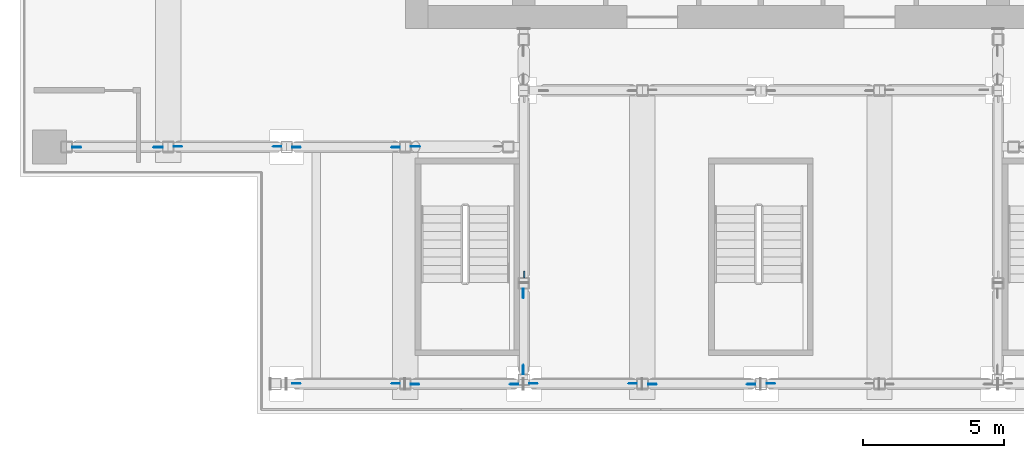
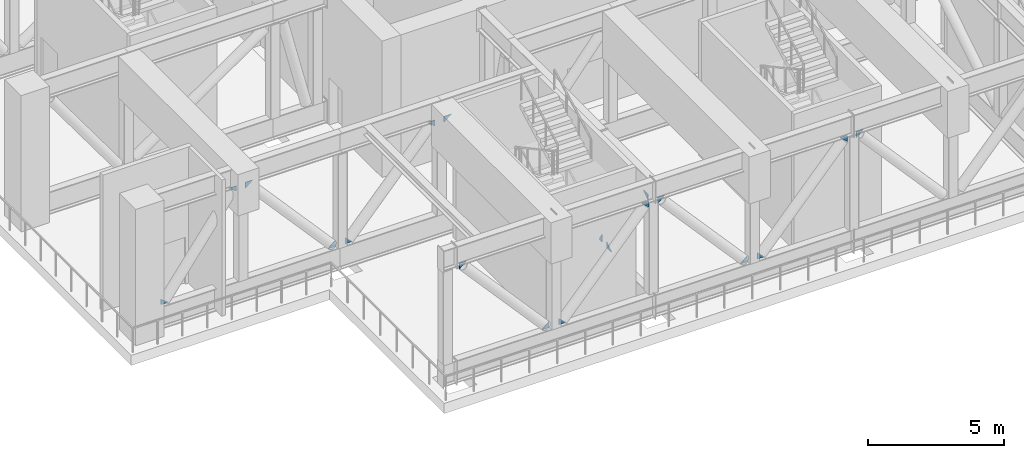
# One storey, part 10 of 23: 19 plates.
"""IFC4 building model written with IfcOpenShell, lengths in metres."""

from ifc_helpers import new_model, si_unit, direction, frame, origin, place, context, subcontext, project, spatial, polyline, outline, extrude, material, layer, layer_set, type_object, element, save


model = new_model("IFC4")

# Units and contexts
model_context = context("Model", 3, precision=1e-05, world=origin(), true_north=direction((0.0, 1.0)))
body_context = subcontext(model_context, "Body", "Model", "MODEL_VIEW")
ifc_project = project(units=[si_unit("LENGTHUNIT", "METRE"), si_unit("AREAUNIT", "SQUARE_METRE"), si_unit("VOLUMEUNIT", "CUBIC_METRE"), si_unit("PLANEANGLEUNIT", "RADIAN"), si_unit("MASSUNIT", "GRAM", prefix="KILO")], contexts=[model_context])

# Site, building, storey
site_placement = place(None, origin())
site = spatial("IfcSite", under=ifc_project, at=site_placement, CompositionType="ELEMENT")
building_placement = place(site_placement, origin())
building = spatial("IfcBuilding", under=site, at=building_placement, Name="Vermilion Ogive Tower", CompositionType="ELEMENT")
storey_placement = place(building_placement, frame((0.0, 0.0, 121.800048828125)))
storey = spatial("IfcBuildingStorey", under=building, at=storey_placement, Name="L31", CompositionType="ELEMENT", Elevation=121.800048828125)

# Plates
ifc_material = material(Name="Steel S355", Category="steel")
ifc_layer = layer(ifc_material, 0.030029296875)
ifc_layer_set = layer_set([ifc_layer], Name="Truss gusset plate 30")
plate_type = type_object("IfcPlateType", Name="Truss gusset plate 30", PredefinedType="USERDEFINED", material=ifc_layer_set)
plate_1_placement = place(storey_placement, frame((-12.39990234375, -12.60009765625, 4.955078125), z_axis=(0.0, -1.0, 0.0), x_axis=(0.797100929283, 0.0, 0.60384609673)))
element("IfcPlate", 1, at=plate_1_placement, inside=storey, type_object=plate_type, Name="Gusset plate L31-TR-EWW-12.6-D0B", ObjectType="GUSSET PLATE", PredefinedType="USERDEFINED", context=body_context, shape_type="SweptSolid", body=[
    extrude(outline(polyline([(0.0, 0.0), (0.40552228158959536, 0.0), (0.1478656335498987, 0.19518853322040466), (0.0, 0.0)])), origin(), (0.0, 0.0, -1.0), 0.030029296875),
])
plate_2_placement = place(storey_placement, frame((-12.800048828125, -12.60009765625, 4.928955078125), z_axis=(0.0, 1.0, 0.0), x_axis=(-0.744012068676, 0.0, 0.66816617818)))
element("IfcPlate", 2, at=plate_2_placement, inside=storey, type_object=plate_type, Name="Gusset plate L31-TR-EWW-12.6-D1A", ObjectType="GUSSET PLATE", PredefinedType="USERDEFINED", context=body_context, shape_type="SweptSolid", body=[
    extrude(outline(polyline([(0.0, 0.0), (0.40558187858007655, 2.7755575615628914e-17), (0.1810704242627036, 0.20162436431414565), (0.0, 0.0)])), origin(), (0.0, 0.0, -1.0), 0.030029296875),
])
for number, where, z_axis, x_axis, name in (
    (3, (-16.60009765625, -12.60009765625, 1.27099609375), (0.0, 1.0, 0.0), (0.744280627096, 0.0, -0.667867013805), "Gusset plate L31-TR-EWW-12.6-D1B"),
    (4, (-17.0, -12.60009765625, 1.27099609375), (0.0, -1.0, 0.0), (-0.744280627096, 0.0, -0.667867013805), "Gusset plate L31-TR-EWW-12.6-D2A"),
    (5, (-20.800048828125, -12.60009765625, 4.928955078125), (0.0, -1.0, 0.0), (0.744280627096, 0.0, 0.667867013805), "Gusset plate L31-TR-EWW-12.6-D2B"),
):
    element("IfcPlate", number, at=place(storey_placement, frame(where, z_axis=z_axis, x_axis=x_axis)), inside=storey, type_object=plate_type, Name=name, ObjectType="GUSSET PLATE", PredefinedType="USERDEFINED", context=body_context, shape_type="SweptSolid", body=[
        extrude(outline(polyline([(0.0, 0.0), (0.40576355494188177, 0.0), (0.18098935188567533, 0.20169714259691926), (0.0, 0.0)])), origin(), (0.0, 0.0, -1.0), 0.030029296875),
    ])
for number, where, z_axis, x_axis, name in (
    (6, (-21.199951171875, -12.60009765625, 4.957763671875), (0.0, 1.0, 0.0), (-0.802233221274, 0.0, 0.59701076932), "Gusset plate L31-TR-EWW-12.6-D3A"),
    (7, (-24.39990234375, -12.60009765625, 1.2421875), (0.0, 1.0, 0.0), (0.802233221274, 0.0, -0.59701076932), "Gusset plate L31-TR-EWW-12.6-D3B"),
):
    element("IfcPlate", number, at=place(storey_placement, frame(where, z_axis=z_axis, x_axis=x_axis)), inside=storey, type_object=plate_type, Name=name, ObjectType="GUSSET PLATE", PredefinedType="USERDEFINED", context=body_context, shape_type="SweptSolid", body=[
        extrude(outline(polyline([(0.0, 0.0), (0.4056668865048626, -2.7755575615628914e-17), (0.14458854569473698, 0.19429085827730277), (0.0, 0.0)])), origin(), (0.0, 0.0, -1.0), 0.030029296875),
    ])
plate_3_placement = place(storey_placement, frame((-8.39990234375, -17.2333984375, 1.34228515625), z_axis=(-1.0, 0.0, 0.0), x_axis=(0.0, 0.537225787468, -0.843438470358)))
element("IfcPlate", 8, at=plate_3_placement, inside=storey, type_object=plate_type, Name="Gusset plate L31-TR-NS-8.4-D1B", ObjectType="GUSSET PLATE", PredefinedType="USERDEFINED", context=body_context, shape_type="SweptSolid", body=[
    extrude(outline(polyline([(0.0, 0.0), (0.4058211337037259, 0.0), (0.28869646861373216, 0.18388441260489502), (0.0, 0.0)])), origin(), (0.0, 0.0, -1.0), 0.030029296875),
])
plate_4_placement = place(storey_placement, frame((-8.39990234375, -17.63330078125, 1.23193359375), z_axis=(1.0, 0.0, 0.0), x_axis=(0.0, -0.820389610622, -0.571804937704)))
element("IfcPlate", 9, at=plate_4_placement, inside=storey, type_object=plate_type, Name="Gusset plate L31-TR-NS-8.4-D2A", ObjectType="GUSSET PLATE", PredefinedType="USERDEFINED", context=body_context, shape_type="SweptSolid", body=[
    extrude(outline(polyline([(0.0, 0.0), (0.4056166333245257, 0.0), (0.13262077412577702, 0.19027591066677274), (0.0, 0.0)])), origin(), (0.0, 0.0, -1.0), 0.030029296875),
])
plate_5_placement = place(storey_placement, frame((-8.39990234375, -20.64990234375, 4.9677734375), z_axis=(1.0, 0.0, 0.0), x_axis=(0.0, 0.819910100272, 0.572492294683)))
element("IfcPlate", 10, at=plate_5_placement, inside=storey, type_object=plate_type, Name="Gusset plate L31-TR-NS-8.4-D2B", ObjectType="GUSSET PLATE", PredefinedType="USERDEFINED", context=body_context, shape_type="SweptSolid", body=[
    extrude(outline(polyline([(0.0, 0.0), (0.40555608613634164, 2.7755575615628914e-17), (0.1329199639267293, 0.1903648694723505), (0.0, 0.0)])), origin(), (0.0, 0.0, -1.0), 0.030029296875),
])
plate_6_placement = place(storey_placement, frame((-16.60009765625, -21.0, 4.928955078125), z_axis=(0.0, -1.0, 0.0), x_axis=(0.744280627096, 0.0, 0.667867013805)))
element("IfcPlate", 11, at=plate_6_placement, inside=storey, type_object=plate_type, Name="Gusset plate L31-TR-BELT-D1A", ObjectType="GUSSET PLATE", PredefinedType="USERDEFINED", context=body_context, shape_type="SweptSolid", body=[
    extrude(outline(polyline([(0.0, 0.0), (0.40576355494188177, 0.0), (0.18098935188567533, 0.20169714259691926), (0.0, 0.0)])), origin(), (0.0, 0.0, -1.0), 0.030029296875),
])
for number, where, z_axis, x_axis, name in (
    (12, (-12.800048828125, -21.0, 1.27099609375), (0.0, -1.0, 0.0), (-0.744012068676, 0.0, -0.66816617818), "Gusset plate L31-TR-BELT-D1B"),
    (13, (-12.39990234375, -21.0, 1.27099609375), (0.0, 1.0, 0.0), (0.744012068676, 0.0, -0.66816617818), "Gusset plate L31-TR-BELT-D2A"),
    (14, (-8.60009765625, -21.0, 4.928955078125), (0.0, 1.0, 0.0), (-0.744012068676, 0.0, 0.66816617818), "Gusset plate L31-TR-BELT-D2B"),
    (15, (-8.199951171875, -21.0, 4.928955078125), (0.0, -1.0, 0.0), (0.744012068676, 0.0, 0.66816617818), "Gusset plate L31-TR-BELT-D3A"),
):
    element("IfcPlate", number, at=place(storey_placement, frame(where, z_axis=z_axis, x_axis=x_axis)), inside=storey, type_object=plate_type, Name=name, ObjectType="GUSSET PLATE", PredefinedType="USERDEFINED", context=body_context, shape_type="SweptSolid", body=[
        extrude(outline(polyline([(0.0, 0.0), (0.40558187858007655, 2.7755575615628914e-17), (0.1810704242627036, 0.20162436431414565), (0.0, 0.0)])), origin(), (0.0, 0.0, -1.0), 0.030029296875),
    ])
for number, where, z_axis, x_axis, name in (
    (16, (-4.39990234375, -21.0, 1.27099609375), (0.0, -1.0, 0.0), (-0.744280627096, 0.0, -0.667867013805), "Gusset plate L31-TR-BELT-D3B"),
    (17, (-4.0, -21.0, 1.27099609375), (0.0, 1.0, 0.0), (0.744280627096, 0.0, -0.667867013805), "Gusset plate L31-TR-BELT-D4A"),
    (18, (-0.199951171875, -21.0, 4.928955078125), (0.0, 1.0, 0.0), (-0.744280627096, 0.0, 0.667867013805), "Gusset plate L31-TR-BELT-D4B"),
    (19, (0.199951171875, -21.0, 4.928955078125), (0.0, -1.0, 0.0), (0.744280627096, 0.0, 0.667867013805), "Gusset plate L31-TR-BELT-D5A"),
):
    element("IfcPlate", number, at=place(storey_placement, frame(where, z_axis=z_axis, x_axis=x_axis)), inside=storey, type_object=plate_type, Name=name, ObjectType="GUSSET PLATE", PredefinedType="USERDEFINED", context=body_context, shape_type="SweptSolid", body=[
        extrude(outline(polyline([(0.0, 0.0), (0.40576355494188177, 0.0), (0.18098935188567533, 0.20169714259691926), (0.0, 0.0)])), origin(), (0.0, 0.0, -1.0), 0.030029296875),
    ])

save(model, "model.ifc")
